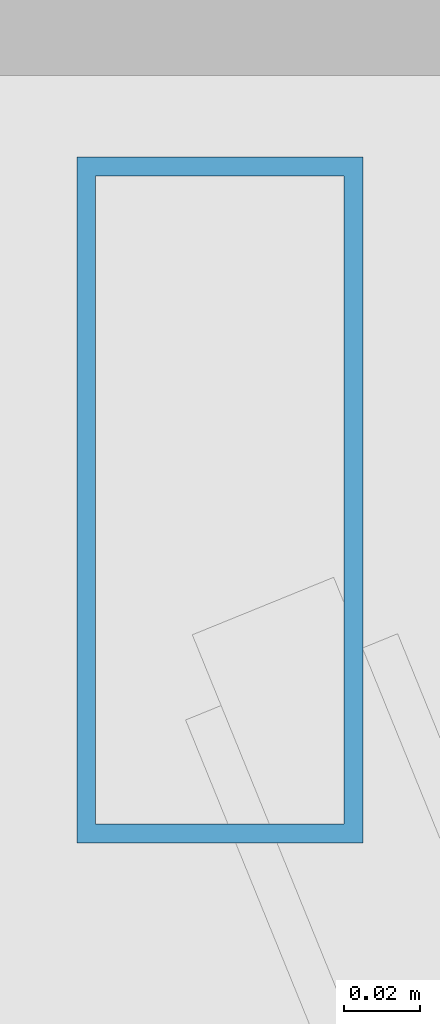
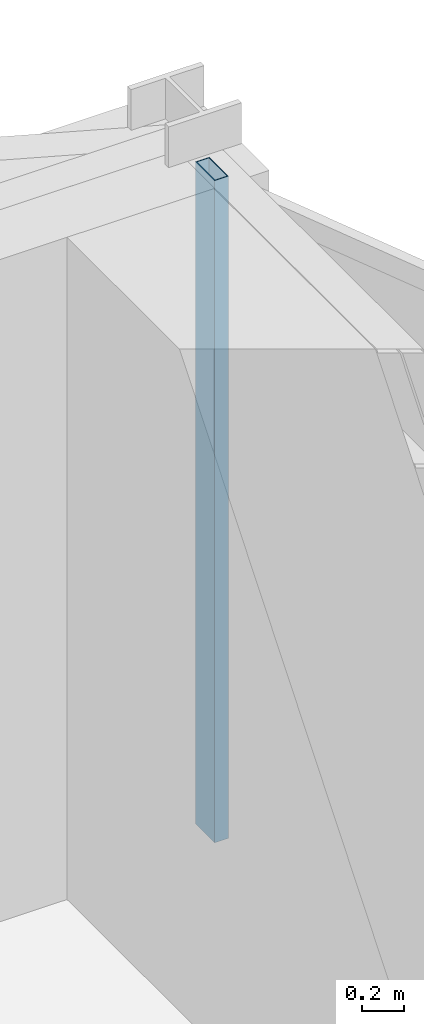
# One storey, part 18 of 25: 1 member, 1 element without a shape of its own.
"""IFC4 building model written with IfcOpenShell, lengths in metres."""

from ifc_helpers import new_model, si_unit, direction, frame, origin, origin_2d, place, context, subcontext, project, spatial, hollow_rectangle, extrude, material, layer, layer_set, material_profile, profile_set, type_object, element, aggregate, save


model = new_model("IFC4")

# Units and contexts
model_context = context("Model", 3, precision=1e-05, world=origin(), true_north=direction((0.0, 1.0)))
body_context = subcontext(model_context, "Body", "Model", "MODEL_VIEW")
ifc_project = project(units=[si_unit("LENGTHUNIT", "METRE"), si_unit("AREAUNIT", "SQUARE_METRE"), si_unit("VOLUMEUNIT", "CUBIC_METRE"), si_unit("PLANEANGLEUNIT", "RADIAN"), si_unit("MASSUNIT", "GRAM", prefix="KILO")], contexts=[model_context])

# Site, building, storey
site_placement = place(None, origin())
site = spatial("IfcSite", under=ifc_project, at=site_placement, CompositionType="ELEMENT")
building_placement = place(site_placement, origin())
building = spatial("IfcBuilding", under=site, at=building_placement, Name="Veymaron Broadcast Tower", CompositionType="ELEMENT")
storey_placement = place(building_placement, frame((0.0, 0.0, 129.0)))
storey = spatial("IfcBuildingStorey", under=building, at=storey_placement, Name="L29", CompositionType="ELEMENT", Elevation=129.0)

# Curtain wall, member
ifc_material_1 = material(Name="Anodised aluminium AA 6063-T6 and laminated low-E dark glass", Category="aluminium")
ifc_layer = layer(ifc_material_1, 0.179931640625)
ifc_layer_set = layer_set([ifc_layer], Name="Anodised aluminium AA 6063-T6 and laminated low-E dark glass")
curtain_wall_type = type_object("IfcCurtainWallType", Name="CW-SYS-03", PredefinedType="NOTDEFINED", material=ifc_layer_set)
curtain_wall_placement = place(storey_placement, origin())
curtain_wall = element("IfcCurtainWall", 1, at=curtain_wall_placement, inside=storey, type_object=curtain_wall_type, Name="L29 dark-glass curtain wall CW-L29-E3-1", PredefinedType="NOTDEFINED")
ifc_material_2 = material(Name="Anodised aluminium AA 6063-T6", Category="aluminium")
ifc_material_profile = material_profile(ifc_material_2, hollow_rectangle(XDim=0.074951171875, YDim=0.179931640625, WallThickness=0.0048828125, at=origin_2d()), Name="AL180X75X5")
ifc_profile_set = profile_set([ifc_material_profile], Name="Anodised aluminium AA 6063-T6")
member_type = type_object("IfcMemberType", Name="CW-MUL-02", PredefinedType="MULLION", material=ifc_profile_set)
member_placement = place(storey_placement, frame((54.572998046875, 31.695068359375, 0.0), z_axis=(0.0, 0.0, 1.0), x_axis=(1.0, 0.0, 0.0)))
member = element("IfcMember", 2, at=member_placement, type_object=member_type, Name="CW-L29-E3-1 mullion 2", PredefinedType="MULLION", context=body_context, shape_type="SweptSolid", body=[
    extrude(hollow_rectangle(XDim=0.074951171875, YDim=0.179931640625, WallThickness=0.0048828125, at=origin_2d()), origin(), (0.0, 0.0, 1.0), 3.81005859375),
])
aggregate(curtain_wall, [member])

save(model, "model.ifc")
